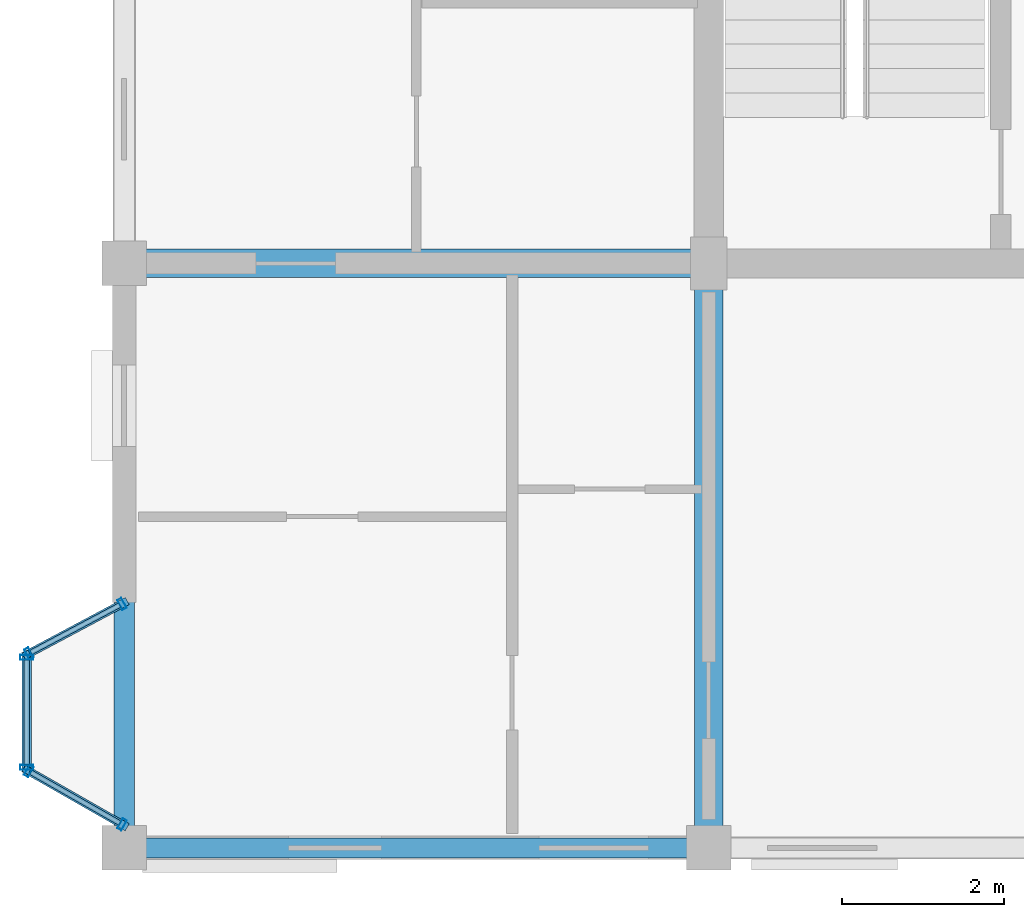
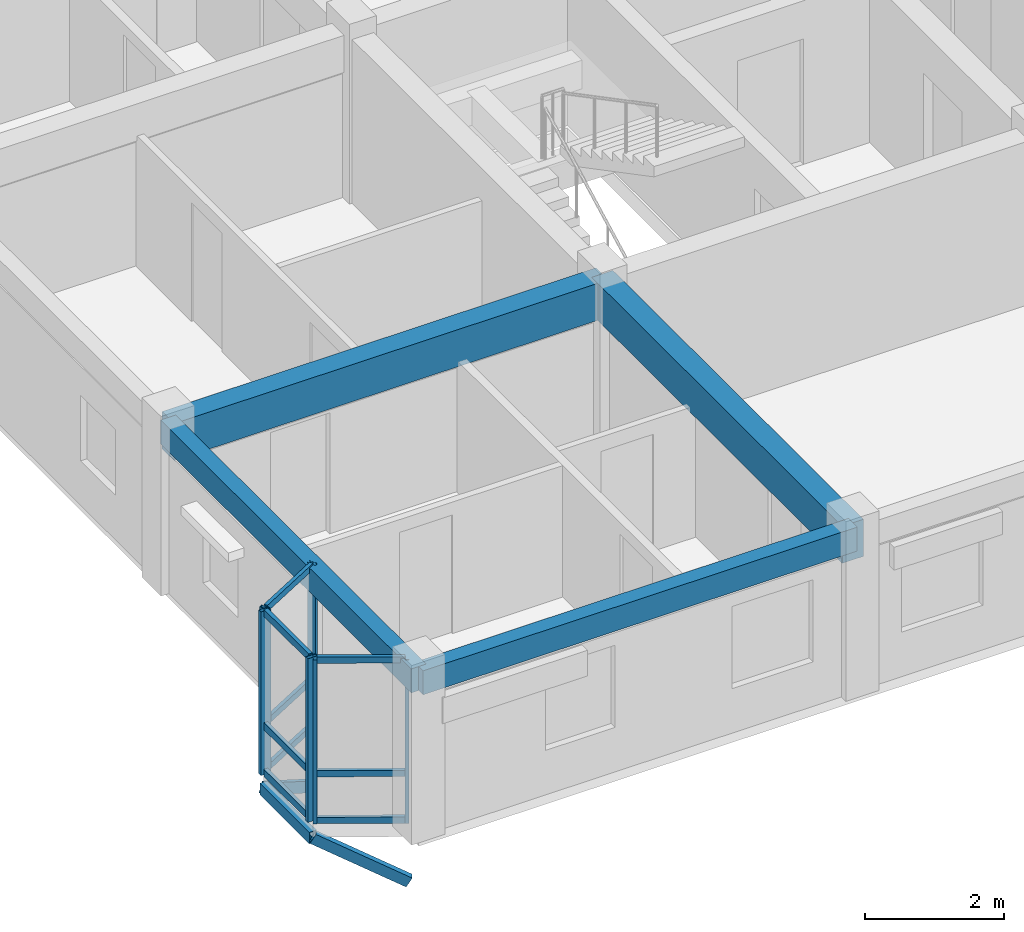
# One storey, part 2 of 77: 18 members, 4 beams, 3 elements without a shape of their own.
"""IFC4 building model written with IfcOpenShell, lengths in metres."""

from ifc_helpers import new_model, si_unit, direction, frame, origin, origin_2d, place, context, subcontext, project, spatial, rectangle, hollow_rectangle, extrude, material, layer, layer_set, material_profile, profile_set, type_object, element, aggregate, save


model = new_model("IFC4")

# Units and contexts
model_context = context("Model", 3, precision=1e-05, world=origin(), true_north=direction((0.0, 1.0)))
body_context = subcontext(model_context, "Body", "Model", "MODEL_VIEW")
ifc_project = project(units=[si_unit("LENGTHUNIT", "METRE"), si_unit("AREAUNIT", "SQUARE_METRE"), si_unit("VOLUMEUNIT", "CUBIC_METRE"), si_unit("PLANEANGLEUNIT", "RADIAN"), si_unit("MASSUNIT", "GRAM", prefix="KILO"), si_unit("THERMODYNAMICTEMPERATUREUNIT", "KELVIN"), si_unit("POWERUNIT", "WATT")], contexts=[model_context])

# Site, building, storey
site_placement = place(None, origin())
site = spatial("IfcSite", under=ifc_project, at=site_placement, CompositionType="ELEMENT")
building_placement = place(site_placement, origin())
building = spatial("IfcBuilding", under=site, at=building_placement, Name="Tavuni Mirador Residences", CompositionType="ELEMENT")
storey_placement = place(building_placement, frame((0.0, 0.0, 10.800048828125)))
storey = spatial("IfcBuildingStorey", under=building, at=storey_placement, Name="L03", CompositionType="ELEMENT", Elevation=10.800048828125)

# Beams
ifc_material_1 = material(Name="Precast concrete C40/50", Category="concrete")
ifc_material_profile_1 = material_profile(ifc_material_1, rectangle(XDim=0.35009765625, YDim=0.64990234375, at=origin_2d()), Name="PC 350x650", Category="concrete")
ifc_profile_set_1 = profile_set([ifc_material_profile_1], Name="Precast concrete C40/50")
beam_type_1 = type_object("IfcBeamType", Name="BT-B650", PredefinedType="BEAM", material=ifc_profile_set_1)
for number, where, z_axis, x_axis, name in (
    (1, (3.60009765625, 14.39990234375, 2.544921875), (1.0, 0.0, 0.0), (0.0, 1.0, 0.0), "BMX-BLK-A-L03-00-01"),
    (2, (10.800048828125, 7.199951171875, 2.544921875), (0.0, 1.0, 0.0), (-1.0, 0.0, 0.0), "BMY-BLK-A-L03-01-00"),
):
    element("IfcBeam", number, at=place(storey_placement, frame(where, z_axis=z_axis, x_axis=x_axis)), inside=storey, type_object=beam_type_1, Name=name, PredefinedType="BEAM", context=body_context, shape_type="SweptSolid", body=[
        extrude(rectangle(XDim=0.35009765625, YDim=0.64990234375, at=origin_2d()), origin(), (0.0, 0.0, 1.0), 7.199951171875),
    ])
ifc_material_profile_2 = material_profile(ifc_material_1, rectangle(XDim=0.25, YDim=0.419921875, at=origin_2d()), Name="PC 250x420", Category="concrete")
ifc_profile_set_2 = profile_set([ifc_material_profile_2], Name="Precast concrete C40/50")
beam_type_2 = type_object("IfcBeamType", Name="BT-SP420", PredefinedType="SPANDREL", material=ifc_profile_set_2)
for number, where, z_axis, x_axis, name in (
    (3, (3.60009765625, 7.199951171875, 2.659912109375), (1.0, 0.0, 0.0), (0.0, 1.0, 0.0), "BMX-BLK-A-L03-00-00"),
    (4, (3.60009765625, 7.199951171875, 2.659912109375), (0.0, 1.0, 0.0), (-1.0, 0.0, 0.0), "BMY-BLK-A-L03-00-00"),
):
    element("IfcBeam", number, at=place(storey_placement, frame(where, z_axis=z_axis, x_axis=x_axis)), inside=storey, type_object=beam_type_2, Name=name, PredefinedType="SPANDREL", context=body_context, shape_type="SweptSolid", body=[
        extrude(rectangle(XDim=0.25, YDim=0.419921875, at=origin_2d()), origin(), (0.0, 0.0, 1.0), 7.199951171875),
    ])

# Curtain wall, members
ifc_material_2 = material(Name="Anodised aluminium", Category="aluminium")
ifc_layer_1 = layer(ifc_material_2, 0.175048828125, Name="Anodised aluminium", Category="aluminium")
ifc_layer_set_1 = layer_set([ifc_layer_1], Name="Anodised aluminium")
curtain_wall_type_1 = type_object("IfcCurtainWallType", Name="CWT-MIR-C", PredefinedType="NOTDEFINED", material=ifc_layer_set_1)
curtain_wall_1_placement = place(storey_placement, origin())
curtain_wall_1 = element("IfcCurtainWall", 5, at=curtain_wall_1_placement, inside=storey, type_object=curtain_wall_type_1, Name="CW-MIR-A-W1-L03-M1", PredefinedType="NOTDEFINED")
ifc_material_profile_3 = material_profile(ifc_material_2, hollow_rectangle(XDim=0.06005859375, YDim=0.139892578125, WallThickness=0.00390625, at=origin_2d()), Name="ALU 60x140x4.0", Category="aluminium")
ifc_profile_set_3 = profile_set([ifc_material_profile_3], Name="Anodised aluminium")
member_type_1 = type_object("IfcMemberType", Name="CWM-140", PredefinedType="MULLION", material=ifc_profile_set_3)
member_1_placement = place(storey_placement, frame((3.573486328125, 10.205810546875, 0.0), z_axis=(0.0, 0.0, 1.0), x_axis=(-0.882352941175, -0.470588235296, 0.0)))
member_1 = element("IfcMember", 6, at=member_1_placement, type_object=member_type_1, Name="CW-03 mullion 1", PredefinedType="MULLION", context=body_context, shape_type="SweptSolid", body=[
    extrude(hollow_rectangle(XDim=0.06005859375, YDim=0.139892578125, WallThickness=0.00390625, at=origin_2d()), origin(), (0.0, 0.0, 1.0), 2.869873046875),
])
member_2_placement = place(storey_placement, frame((2.426513671875, 9.59423828125, 0.0), z_axis=(0.0, 0.0, 1.0), x_axis=(-0.882352941175, -0.470588235296, 0.0)))
member_2 = element("IfcMember", 7, at=member_2_placement, type_object=member_type_1, Name="CW-03 mullion 2", PredefinedType="MULLION", context=body_context, shape_type="SweptSolid", body=[
    extrude(hollow_rectangle(XDim=0.06005859375, YDim=0.139892578125, WallThickness=0.00390625, at=origin_2d()), origin(), (0.0, 0.0, 1.0), 2.869873046875),
])

ifc_layer_2 = layer(ifc_material_2, 0.1650390625, Name="Anodised aluminium", Category="aluminium")
ifc_layer_set_2 = layer_set([ifc_layer_2], Name="Anodised aluminium")
curtain_wall_type_2 = type_object("IfcCurtainWallType", Name="CWT-MIR-A", PredefinedType="NOTDEFINED", material=ifc_layer_set_2)
curtain_wall_2_placement = place(storey_placement, origin())
curtain_wall_2 = element("IfcCurtainWall", 8, at=curtain_wall_2_placement, inside=storey, type_object=curtain_wall_type_2, Name="CW-MIR-A-W1-L03-M2", PredefinedType="NOTDEFINED")
member_3_placement = place(storey_placement, frame((2.426025390625, 8.14501953125, 0.0), z_axis=(0.0, 0.0, 1.0), x_axis=(0.868465738194, -0.495749192217, 0.0)))
member_3 = element("IfcMember", 9, at=member_3_placement, type_object=member_type_1, Name="CW-01 mullion 1", PredefinedType="MULLION", context=body_context, shape_type="SweptSolid", body=[
    extrude(hollow_rectangle(XDim=0.06005859375, YDim=0.139892578125, WallThickness=0.00390625, at=origin_2d()), origin(), (0.0, 0.0, 1.0), 2.869873046875),
])
member_4_placement = place(storey_placement, frame((3.573974609375, 7.489990234375, 0.0), z_axis=(0.0, 0.0, 1.0), x_axis=(0.868465738194, -0.495749192217, 0.0)))
member_4 = element("IfcMember", 10, at=member_4_placement, type_object=member_type_1, Name="CW-01 mullion 2", PredefinedType="MULLION", context=body_context, shape_type="SweptSolid", body=[
    extrude(hollow_rectangle(XDim=0.06005859375, YDim=0.139892578125, WallThickness=0.00390625, at=origin_2d()), origin(), (0.0, 0.0, 1.0), 2.869873046875),
])

ifc_layer_3 = layer(ifc_material_2, 0.159912109375, Name="Anodised aluminium", Category="aluminium")
ifc_layer_set_3 = layer_set([ifc_layer_3], Name="Anodised aluminium")
curtain_wall_type_3 = type_object("IfcCurtainWallType", Name="CWT-MIR-D", PredefinedType="NOTDEFINED", material=ifc_layer_set_3)
curtain_wall_3_placement = place(storey_placement, origin())
curtain_wall_3 = element("IfcCurtainWall", 11, at=curtain_wall_3_placement, inside=storey, type_object=curtain_wall_type_3, Name="CW-MIR-A-W1-L03-MF", PredefinedType="NOTDEFINED")
ifc_material_profile_4 = material_profile(ifc_material_2, hollow_rectangle(XDim=0.06494140625, YDim=0.1650390625, WallThickness=0.00439453125, at=origin_2d()), Name="ALU 65x165x4.5", Category="aluminium")
ifc_profile_set_4 = profile_set([ifc_material_profile_4], Name="Anodised aluminium")
member_type_2 = type_object("IfcMemberType", Name="CWM-165", PredefinedType="MULLION", material=ifc_profile_set_4)
member_5_placement = place(storey_placement, frame((2.39990234375, 9.547607421875, 0.0), z_axis=(0.0, 0.0, 1.0), x_axis=(0.0, -1.0, 0.0)))
member_5 = element("IfcMember", 12, at=member_5_placement, type_object=member_type_2, Name="CW-04 mullion 1", PredefinedType="MULLION", context=body_context, shape_type="SweptSolid", body=[
    extrude(hollow_rectangle(XDim=0.06494140625, YDim=0.1650390625, WallThickness=0.00439453125, at=origin_2d()), origin(), (0.0, 0.0, 1.0), 2.869873046875),
])
member_6_placement = place(storey_placement, frame((2.39990234375, 8.1923828125, 0.0), z_axis=(0.0, 0.0, 1.0), x_axis=(0.0, -1.0, 0.0)))
member_6 = element("IfcMember", 13, at=member_6_placement, type_object=member_type_2, Name="CW-04 mullion 2", PredefinedType="MULLION", context=body_context, shape_type="SweptSolid", body=[
    extrude(hollow_rectangle(XDim=0.06494140625, YDim=0.1650390625, WallThickness=0.00439453125, at=origin_2d()), origin(), (0.0, 0.0, 1.0), 2.869873046875),
])

# Member
ifc_material_profile_5 = material_profile(ifc_material_2, hollow_rectangle(XDim=0.06005859375, YDim=0.110107421875, WallThickness=0.00390625, at=origin_2d()), Name="ALU 60x110x4.0", Category="aluminium")
ifc_profile_set_5 = profile_set([ifc_material_profile_5], Name="Anodised aluminium")
member_type_3 = type_object("IfcMemberType", Name="CWT-110", PredefinedType="USERDEFINED", material=ifc_profile_set_5)
member_7_placement = place(storey_placement, frame((3.547119140625, 10.191650390625, 0.030029296875), z_axis=(-0.882385637708, -0.470526924168, 0.0), x_axis=(0.470526924168, -0.882385637708, 0.0)))
member_7 = element("IfcMember", 14, at=member_7_placement, type_object=member_type_3, Name="CW-03 transom 1.1", ObjectType="TRANSOM", PredefinedType="USERDEFINED", context=body_context, shape_type="SweptSolid", body=[
    extrude(hollow_rectangle(XDim=0.06005859375, YDim=0.110107421875, WallThickness=0.00390625, at=origin_2d()), origin(), (0.0, 0.0, 1.0), 1.239990234375),
])

member_8_placement = place(storey_placement, frame((3.547119140625, 10.191650390625, 0.849853515625), z_axis=(-0.882385637708, -0.470526924168, 0.0), x_axis=(0.470526924168, -0.882385637708, 0.0)))
member_8 = element("IfcMember", 15, at=member_8_placement, type_object=member_type_3, Name="CW-03 transom 1.2", ObjectType="TRANSOM", PredefinedType="USERDEFINED", context=body_context, shape_type="SweptSolid", body=[
    extrude(hollow_rectangle(XDim=0.06005859375, YDim=0.110107421875, WallThickness=0.00390625, at=origin_2d()), origin(), (0.0, 0.0, 1.0), 1.239990234375),
])

member_9_placement = place(storey_placement, frame((3.547119140625, 10.191650390625, 2.83984375), z_axis=(-0.882385637708, -0.470526924168, 0.0), x_axis=(0.470526924168, -0.882385637708, 0.0)))
member_9 = element("IfcMember", 16, at=member_9_placement, type_object=member_type_3, Name="CW-03 transom 1.3", ObjectType="TRANSOM", PredefinedType="USERDEFINED", context=body_context, shape_type="SweptSolid", body=[
    extrude(hollow_rectangle(XDim=0.06005859375, YDim=0.110107421875, WallThickness=0.00390625, at=origin_2d()), origin(), (0.0, 0.0, 1.0), 1.239990234375),
])

aggregate(curtain_wall_1, [member_1, member_2, member_7, member_8, member_9])

member_10_placement = place(storey_placement, frame((2.4521484375, 8.13037109375, 0.030029296875), z_axis=(0.868374088354, -0.495909712222, 0.0), x_axis=(0.495909712222, 0.868374088354, 0.0)))
member_10 = element("IfcMember", 17, at=member_10_placement, type_object=member_type_3, Name="CW-01 transom 1.1", ObjectType="TRANSOM", PredefinedType="USERDEFINED", context=body_context, shape_type="SweptSolid", body=[
    extrude(hollow_rectangle(XDim=0.06005859375, YDim=0.110107421875, WallThickness=0.00390625, at=origin_2d()), origin(), (0.0, 0.0, 1.0), 1.26171875),
])

member_11_placement = place(storey_placement, frame((2.4521484375, 8.13037109375, 0.849853515625), z_axis=(0.868374088354, -0.495909712222, 0.0), x_axis=(0.495909712222, 0.868374088354, 0.0)))
member_11 = element("IfcMember", 18, at=member_11_placement, type_object=member_type_3, Name="CW-01 transom 1.2", ObjectType="TRANSOM", PredefinedType="USERDEFINED", context=body_context, shape_type="SweptSolid", body=[
    extrude(hollow_rectangle(XDim=0.06005859375, YDim=0.110107421875, WallThickness=0.00390625, at=origin_2d()), origin(), (0.0, 0.0, 1.0), 1.26171875),
])

member_12_placement = place(storey_placement, frame((2.4521484375, 8.13037109375, 2.83984375), z_axis=(0.868374088354, -0.495909712222, 0.0), x_axis=(0.495909712222, 0.868374088354, 0.0)))
member_12 = element("IfcMember", 19, at=member_12_placement, type_object=member_type_3, Name="CW-01 transom 1.3", ObjectType="TRANSOM", PredefinedType="USERDEFINED", context=body_context, shape_type="SweptSolid", body=[
    extrude(hollow_rectangle(XDim=0.06005859375, YDim=0.110107421875, WallThickness=0.00390625, at=origin_2d()), origin(), (0.0, 0.0, 1.0), 1.26171875),
])

aggregate(curtain_wall_2, [member_3, member_4, member_10, member_11, member_12])

ifc_material_profile_6 = material_profile(ifc_material_2, hollow_rectangle(XDim=0.06494140625, YDim=0.125, WallThickness=0.00439453125, at=origin_2d()), Name="ALU 65x125x4.5", Category="aluminium")
ifc_profile_set_6 = profile_set([ifc_material_profile_6], Name="Anodised aluminium")
member_type_4 = type_object("IfcMemberType", Name="CWT-125", PredefinedType="USERDEFINED", material=ifc_profile_set_6)
member_13_placement = place(storey_placement, frame((2.39990234375, 9.514892578125, 0.032470703125), z_axis=(0.0, -1.0, 0.0), x_axis=(1.0, 0.0, 0.0)))
member_13 = element("IfcMember", 20, at=member_13_placement, type_object=member_type_4, Name="CW-04 transom 1.1", ObjectType="TRANSOM", PredefinedType="USERDEFINED", context=body_context, shape_type="SweptSolid", body=[
    extrude(hollow_rectangle(XDim=0.06494140625, YDim=0.125, WallThickness=0.00439453125, at=origin_2d()), origin(), (0.0, 0.0, 1.0), 1.289794921875),
])

member_14_placement = place(storey_placement, frame((2.39990234375, 9.514892578125, 0.849853515625), z_axis=(0.0, -1.0, 0.0), x_axis=(1.0, 0.0, 0.0)))
member_14 = element("IfcMember", 21, at=member_14_placement, type_object=member_type_4, Name="CW-04 transom 1.2", ObjectType="TRANSOM", PredefinedType="USERDEFINED", context=body_context, shape_type="SweptSolid", body=[
    extrude(hollow_rectangle(XDim=0.06494140625, YDim=0.125, WallThickness=0.00439453125, at=origin_2d()), origin(), (0.0, 0.0, 1.0), 1.289794921875),
])

member_15_placement = place(storey_placement, frame((2.39990234375, 9.514892578125, 2.83740234375), z_axis=(0.0, -1.0, 0.0), x_axis=(1.0, 0.0, 0.0)))
member_15 = element("IfcMember", 22, at=member_15_placement, type_object=member_type_4, Name="CW-04 transom 1.3", ObjectType="TRANSOM", PredefinedType="USERDEFINED", context=body_context, shape_type="SweptSolid", body=[
    extrude(hollow_rectangle(XDim=0.06494140625, YDim=0.125, WallThickness=0.00439453125, at=origin_2d()), origin(), (0.0, 0.0, 1.0), 1.289794921875),
])

aggregate(curtain_wall_3, [member_5, member_6, member_13, member_14, member_15])

# Members
ifc_material_3 = material(Name="Structural steel S355", Category="steel")
ifc_material_profile_7 = material_profile(ifc_material_3, hollow_rectangle(XDim=0.10009765625, YDim=0.179931640625, WallThickness=0.008056640625, at=origin_2d()), Name="RHS 180x100x8.0", Category="steel")
ifc_profile_set_7 = profile_set([ifc_material_profile_7], Name="Structural steel S355")
member_type_5 = type_object("IfcMemberType", Name="MT-BR-RHS180", PredefinedType="BRACE", material=ifc_profile_set_7)
member_16_placement = place(storey_placement, frame((3.60009765625, 7.47509765625, -1.050048828125), z_axis=(-0.758710666466, 0.432909564572, 0.486772465833), x_axis=(-0.495587053321, -0.868558272415, 0.0)))
element("IfcMember", 23, at=member_16_placement, inside=storey, type_object=member_type_5, Name="MBRK-MIR-A-W1-L03-1", PredefinedType="BRACE", context=body_context, shape_type="SweptSolid", body=[
    extrude(hollow_rectangle(XDim=0.10009765625, YDim=0.179931640625, WallThickness=0.008056640625, at=origin_2d()), origin(), (0.0, 0.0, 1.0), 1.581787109375),
])
member_17_placement = place(storey_placement, frame((3.60009765625, 10.219970703125, -1.050048828125), z_axis=(-0.767896193149, -0.409409260017, 0.492665702439), x_axis=(0.470467115558, -0.882417527692, 0.0)))
element("IfcMember", 24, at=member_17_placement, inside=storey, type_object=member_type_5, Name="MBRK-MIR-A-W1-L03-2", PredefinedType="BRACE", context=body_context, shape_type="SweptSolid", body=[
    extrude(hollow_rectangle(XDim=0.10009765625, YDim=0.179931640625, WallThickness=0.008056640625, at=origin_2d()), origin(), (0.0, 0.0, 1.0), 1.56298828125),
])
ifc_material_profile_8 = material_profile(ifc_material_3, hollow_rectangle(XDim=0.1201171875, YDim=0.199951171875, WallThickness=0.010009765625, at=origin_2d()), Name="RHS 200x120x10.0", Category="steel")
ifc_profile_set_8 = profile_set([ifc_material_profile_8], Name="Structural steel S355")
member_type_6 = type_object("IfcMemberType", Name="MT-ST-RHS200", PredefinedType="STRUT", material=ifc_profile_set_8)
member_18_placement = place(storey_placement, frame((2.39990234375, 8.159912109375, -0.280029296875), z_axis=(0.0, 1.0, 0.0), x_axis=(-1.0, 0.0, 0.0)))
element("IfcMember", 25, at=member_18_placement, inside=storey, type_object=member_type_6, Name="MRIM-MIR-A-W1-L03", PredefinedType="STRUT", context=body_context, shape_type="SweptSolid", body=[
    extrude(hollow_rectangle(XDim=0.1201171875, YDim=0.199951171875, WallThickness=0.010009765625, at=origin_2d()), origin(), (0.0, 0.0, 1.0), 1.420166015625),
])

save(model, "model.ifc")
